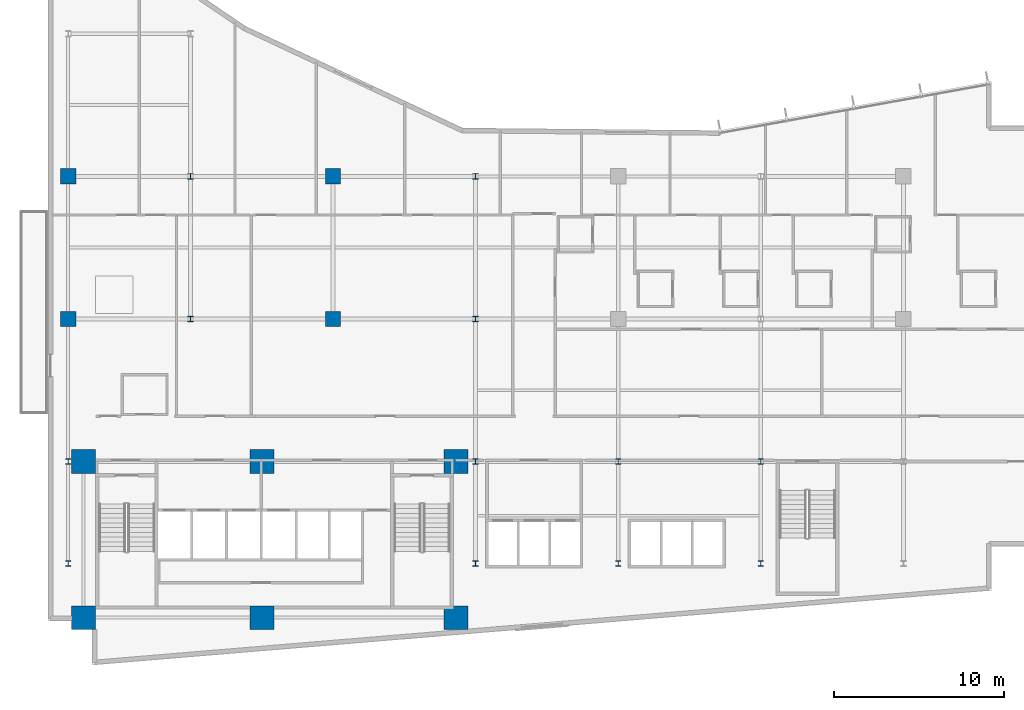
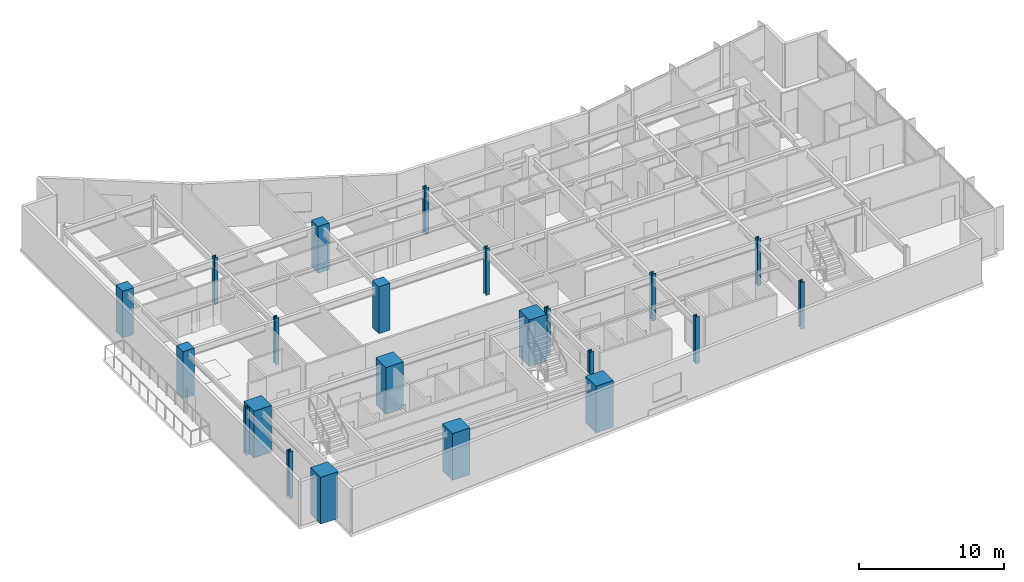
# One storey, part 1 of 22: 22 columns.
"""IFC4 building model written with IfcOpenShell, lengths in metres."""

from ifc_helpers import new_model, si_unit, direction, frame, origin, origin_2d, place, context, subcontext, project, spatial, rectangle, i_section, extrude, material, material_profile, profile_set, type_object, element, save


model = new_model("IFC4")

# Units and contexts
model_context = context("Model", 3, precision=1e-05, world=origin(), true_north=direction((0.0, 1.0)))
body_context = subcontext(model_context, "Body", "Model", "MODEL_VIEW")
ifc_project = project(units=[si_unit("LENGTHUNIT", "METRE"), si_unit("AREAUNIT", "SQUARE_METRE"), si_unit("VOLUMEUNIT", "CUBIC_METRE"), si_unit("PLANEANGLEUNIT", "RADIAN"), si_unit("MASSUNIT", "GRAM", prefix="KILO")], contexts=[model_context])

# Site, building, storey
site_placement = place(None, origin())
site = spatial("IfcSite", under=ifc_project, at=site_placement, CompositionType="ELEMENT")
building_placement = place(site_placement, origin())
building = spatial("IfcBuilding", under=site, at=building_placement, Name="Varnakote Quay Hospital", CompositionType="ELEMENT")
storey_placement = place(building_placement, frame((0.0, 0.0, 65.949951171875)))
storey = spatial("IfcBuildingStorey", under=building, at=storey_placement, Name="L16", CompositionType="ELEMENT", Elevation=65.949951171875)

# Columns
ifc_material_1 = material(Name="Concrete N80 (f'c 80 MPa)", Category="concrete")
ifc_material_profile_1 = material_profile(ifc_material_1, rectangle(XDim=1.39990234375, YDim=1.39990234375, at=origin_2d()), Name="RC-COL-1400x1400")
ifc_profile_set_1 = profile_set([ifc_material_profile_1], Name="Concrete N80 (f'c 80 MPa)")
column_type_1 = type_object("IfcColumnType", Name="COL-RC-1400", PredefinedType="COLUMN", material=ifc_profile_set_1)
for number, where, z_axis, x_axis, name in (
    (1, (2.10009765625, 2.800048828125, 0.0), (0.0, 0.0, 1.0), (1.0, 0.0, 0.0), "L16 Structural Column C-2-3"),
    (2, (12.6201171875, 2.800048828125, 0.0), (0.0, 0.0, 1.0), (1.0, 0.0, 0.0), "L16 Structural Column C-13-3"),
    (3, (24.050048828125, 2.800048828125, 0.0), (0.0, 0.0, 1.0), (1.0, 0.0, 0.0), "L16 Structural Column C-24-3"),
    (4, (2.10009765625, 12.0, 0.0), (0.0, 0.0, 1.0), (1.0, 0.0, 0.0), "L16 Structural Column C-2-12"),
    (5, (12.6201171875, 12.0, 0.0), (0.0, 0.0, 1.0), (1.0, 0.0, 0.0), "L16 Structural Column C-13-12"),
    (6, (24.050048828125, 12.0, 0.0), (0.0, 0.0, 1.0), (1.0, 0.0, 0.0), "L16 Structural Column C-24-12"),
):
    element("IfcColumn", number, at=place(storey_placement, frame(where, z_axis=z_axis, x_axis=x_axis)), inside=storey, type_object=column_type_1, Name=name, PredefinedType="COLUMN", context=body_context, shape_type="SweptSolid", body=[
        extrude(rectangle(XDim=1.39990234375, YDim=1.39990234375, at=origin_2d()), origin(), (0.0, 0.0, 1.0), 3.949951171875),
    ])
ifc_material_2 = material(Name="Concrete N50 (f'c 50 MPa)", Category="concrete")
ifc_material_profile_2 = material_profile(ifc_material_2, rectangle(XDim=0.89990234375, YDim=0.89990234375, at=origin_2d()), Name="RC-COL-900x900")
ifc_profile_set_2 = profile_set([ifc_material_profile_2], Name="Concrete N50 (f'c 50 MPa)")
column_type_2 = type_object("IfcColumnType", Name="COL-RC-900", PredefinedType="COLUMN", material=ifc_profile_set_2)
for number, where, z_axis, x_axis, name in (
    (7, (1.199951171875, 20.39990234375, 0.0), (0.0, 0.0, 1.0), (1.0, 0.0, 0.0), "L16 Structural Column C-1-20"),
    (8, (16.800048828125, 20.39990234375, 0.0), (0.0, 0.0, 1.0), (1.0, 0.0, 0.0), "L16 Structural Column C-17-20"),
    (9, (1.199951171875, 28.800048828125, 0.0), (0.0, 0.0, 1.0), (1.0, 0.0, 0.0), "L16 Structural Column C-1-29"),
    (10, (16.800048828125, 28.800048828125, 0.0), (0.0, 0.0, 1.0), (1.0, 0.0, 0.0), "L16 Structural Column C-17-29"),
):
    element("IfcColumn", number, at=place(storey_placement, frame(where, z_axis=z_axis, x_axis=x_axis)), inside=storey, type_object=column_type_2, Name=name, PredefinedType="COLUMN", context=body_context, shape_type="SweptSolid", body=[
        extrude(rectangle(XDim=0.89990234375, YDim=0.89990234375, at=origin_2d()), origin(), (0.0, 0.0, 1.0), 3.949951171875),
    ])
ifc_material_3 = material(Name="Structural steel AS/NZS 3679.1 Grade 350 L0 (fy 340 MPa)", Category="steel")
ifc_material_profile_3 = material_profile(ifc_material_3, i_section(OverallWidth=0.31103515625, OverallDepth=0.326904296875, WebThickness=0.015625, FlangeThickness=0.02490234375, FilletRadius=0.0166015625, at=origin_2d()), Name="310UC158")
ifc_profile_set_3 = profile_set([ifc_material_profile_3], Name="Structural steel AS/NZS 3679.1 Grade 350 L0 (fy 340 MPa)")
column_type_3 = type_object("IfcColumnType", Name="COL-STL-310UC158", PredefinedType="COLUMN", material=ifc_profile_set_3)
for number, where, z_axis, x_axis, name in (
    (11, (1.199951171875, 6.0, 0.0), (0.0, 0.0, 1.0), (1.0, 0.0, 0.0), "L16 Structural Column C-1-6"),
    (12, (25.199951171875, 6.0, 0.0), (0.0, 0.0, 1.0), (1.0, 0.0, 0.0), "L16 Structural Column C-25-6"),
    (13, (33.60009765625, 6.0, 0.0), (0.0, 0.0, 1.0), (1.0, 0.0, 0.0), "L16 Structural Column C-34-6"),
    (14, (42.0, 6.0, 0.0), (0.0, 0.0, 1.0), (1.0, 0.0, 0.0), "L16 Structural Column C-42-6"),
    (15, (1.199951171875, 12.0, 0.0), (0.0, 0.0, 1.0), (1.0, 0.0, 0.0), "L16 Structural Column C-1-12"),
    (16, (25.199951171875, 12.0, 0.0), (0.0, 0.0, 1.0), (1.0, 0.0, 0.0), "L16 Structural Column C-25-12"),
    (17, (33.60009765625, 12.0, 0.0), (0.0, 0.0, 1.0), (1.0, 0.0, 0.0), "L16 Structural Column C-34-12"),
    (18, (42.0, 12.0, 0.0), (0.0, 0.0, 1.0), (1.0, 0.0, 0.0), "L16 Structural Column C-42-12"),
    (19, (8.39990234375, 20.39990234375, 0.0), (0.0, 0.0, 1.0), (1.0, 0.0, 0.0), "L16 Structural Column C-8-20"),
    (20, (25.199951171875, 20.39990234375, 0.0), (0.0, 0.0, 1.0), (1.0, 0.0, 0.0), "L16 Structural Column C-25-20"),
    (21, (8.39990234375, 28.800048828125, 0.0), (0.0, 0.0, 1.0), (1.0, 0.0, 0.0), "L16 Structural Column C-8-29"),
    (22, (25.199951171875, 28.800048828125, 0.0), (0.0, 0.0, 1.0), (1.0, 0.0, 0.0), "L16 Structural Column C-25-29"),
):
    element("IfcColumn", number, at=place(storey_placement, frame(where, z_axis=z_axis, x_axis=x_axis)), inside=storey, type_object=column_type_3, Name=name, PredefinedType="COLUMN", context=body_context, shape_type="SweptSolid", body=[
        extrude(i_section(OverallWidth=0.31103515625, OverallDepth=0.326904296875, WebThickness=0.015625, FlangeThickness=0.02490234375, FilletRadius=0.0166015625, at=origin_2d()), origin(), (0.0, 0.0, 1.0), 3.949951171875),
    ])

save(model, "model.ifc")
